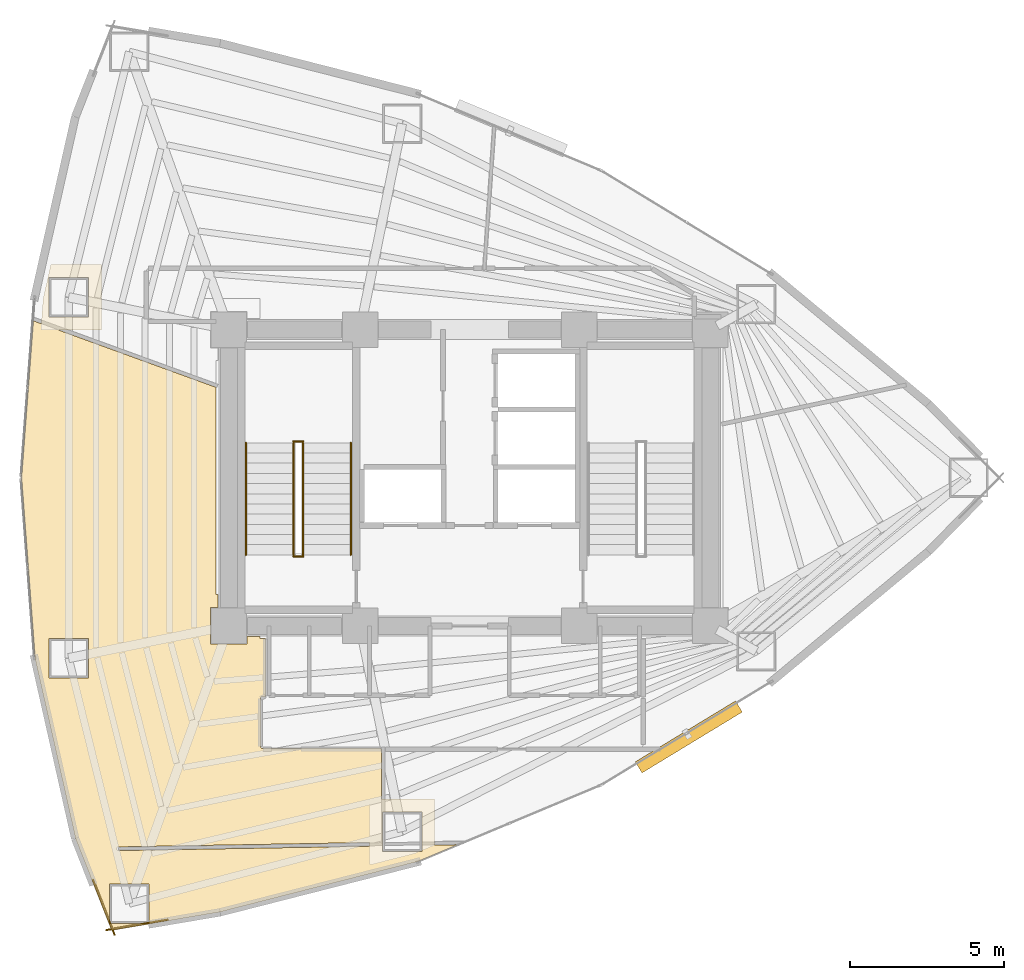
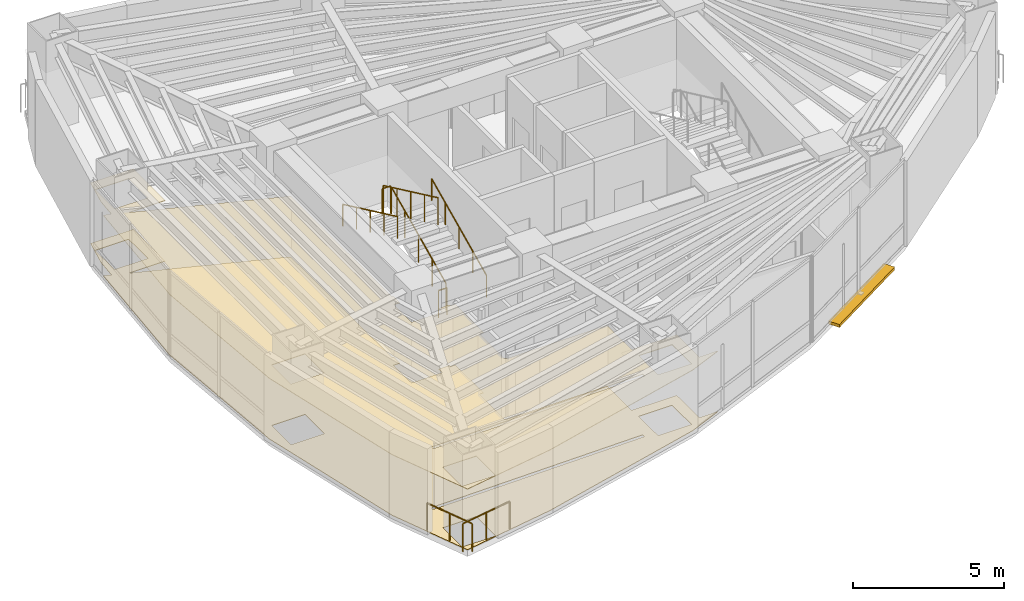
# One storey, part 17 of 19: 8 railings, 2 coverings, 1 shading device.
"""IFC4 building model written with IfcOpenShell, lengths in metres."""

from ifc_helpers import new_model, si_unit, direction, frame, origin, origin_2d, place, context, subcontext, project, spatial, polyline, rectangle, circle, outline, extrude, material, layer, layer_set, type_object, element, save


model = new_model("IFC4")

# Units and contexts
model_context = context("Model", 3, precision=1e-05, world=origin(), true_north=direction((0.0, 1.0)))
body_context = subcontext(model_context, "Body", "Model", "MODEL_VIEW")
ifc_project = project(units=[si_unit("LENGTHUNIT", "METRE"), si_unit("AREAUNIT", "SQUARE_METRE"), si_unit("VOLUMEUNIT", "CUBIC_METRE"), si_unit("PLANEANGLEUNIT", "RADIAN"), si_unit("MASSUNIT", "GRAM", prefix="KILO")], contexts=[model_context])

# Site, building, storey
site_placement = place(None, origin())
site = spatial("IfcSite", under=ifc_project, at=site_placement, CompositionType="ELEMENT")
building_placement = place(site_placement, origin())
building = spatial("IfcBuilding", under=site, at=building_placement, Name="Menara Vayukalpa", CompositionType="ELEMENT")
storey_placement = place(building_placement, frame((0.0, 0.0, 122.580078125)))
storey = spatial("IfcBuildingStorey", under=building, at=storey_placement, Name="L30", CompositionType="ELEMENT", Elevation=122.580078125)

# Coverings
ifc_material_1 = material(Name="Mineral Fibre Acoustic Ceiling Tile", Category="masonry")
ifc_layer_1 = layer(ifc_material_1, 0.02490234375)
ifc_layer_set_1 = layer_set([ifc_layer_1], Name="Mineral Fibre Acoustic Ceiling Tile")
covering_type_1 = type_object("IfcCoveringType", Name="COV-CLG1", PredefinedType="CEILING", material=ifc_layer_set_1)
covering_1_placement = place(storey_placement, frame((0.0, 0.0, 2.449951171875)))
element("IfcCovering", 1, at=covering_1_placement, inside=storey, type_object=covering_type_1, Name="L30 Executive Boardroom Acoustic Ceiling", PredefinedType="CEILING", context=body_context, shape_type="SweptSolid", body=[
    extrude(outline(polyline([(25.16650390625, 10.11083984375), (25.16748046875, 10.11083984375), (25.16845703125, 10.110595703125), (25.16943359375, 10.1103515625), (25.17041015625, 10.110107421875), (25.17138671875, 10.109619140625), (25.172119140625, 10.109130859375), (25.1728515625, 10.108642578125), (25.173583984375, 10.10791015625), (25.17431640625, 10.107177734375), (25.1748046875, 10.1064453125), (25.175537109375, 10.105712890625), (25.17578125, 10.104736328125), (25.17626953125, 10.103759765625), (25.176513671875, 10.102783203125), (25.176513671875, 10.101806640625), (25.1767578125, 10.100830078125), (25.1767578125, 10.099853515625), (25.176513671875, 10.098876953125), (25.17626953125, 10.097900390625), (25.176025390625, 10.096923828125), (25.175537109375, 10.09619140625), (25.175048828125, 10.09521484375), (25.174560546875, 10.094482421875), (25.173828125, 10.09375), (25.173095703125, 10.093017578125), (25.17236328125, 10.092529296875), (25.17138671875, 10.092041015625), (25.170654296875, 10.091552734375), (23.90478515625, 9.562255859375), (23.903564453125, 9.561767578125), (17.5087890625, 7.930908203125), (17.5078125, 7.9306640625), (14.00830078125, 7.33642578125), (14.00732421875, 7.33642578125), (14.00634765625, 7.33642578125), (14.005615234375, 7.33642578125), (14.00439453125, 7.336669921875), (14.003662109375, 7.3369140625), (14.002685546875, 7.33740234375), (14.001708984375, 7.337646484375), (14.0009765625, 7.338134765625), (14.000244140625, 7.3388671875), (13.99951171875, 7.339599609375), (13.998779296875, 7.340087890625), (13.998291015625, 7.341064453125), (13.997802734375, 7.341796875), (13.997314453125, 7.3427734375), (12.831787109375, 10.310791015625), (12.83154296875, 10.3115234375), (12.831298828125, 10.312255859375), (11.5166015625, 16.155029296875), (11.516357421875, 16.156494140625), (11.078369140625, 21.999267578125), (11.078369140625, 22.0), (11.078369140625, 22.000732421875), (11.45849609375, 27.069580078125), (11.45849609375, 27.07080078125), (11.458740234375, 27.07177734375), (11.458984375, 27.072509765625), (11.45947265625, 27.073486328125), (11.4599609375, 27.07421875), (11.46044921875, 27.0751953125), (11.461181640625, 27.07568359375), (11.4619140625, 27.076416015625), (11.462646484375, 27.0771484375), (11.46337890625, 27.07763671875), (11.46435546875, 27.078125), (11.465087890625, 27.07861328125), (11.466064453125, 27.07861328125), (11.467041015625, 27.078857421875), (11.468017578125, 27.0791015625), (11.468994140625, 27.0791015625), (11.469970703125, 27.078857421875), (11.470947265625, 27.07861328125), (11.4716796875, 27.078369140625), (11.722900390625, 26.987060546875), (11.7841796875, 27.80419921875), (12.031982421875, 28.90576171875), (13.66650390625, 28.90576171875), (13.66650390625, 26.78564453125), (12.27587890625, 26.78564453125), (17.38330078125, 24.9267578125), (17.384521484375, 24.92626953125), (17.38525390625, 24.92578125), (17.385986328125, 24.92529296875), (17.386962890625, 24.924560546875), (17.3876953125, 24.923828125), (17.38818359375, 24.923095703125), (17.388671875, 24.922119140625), (17.38916015625, 24.92138671875), (17.389404296875, 24.92041015625), (17.389892578125, 24.919189453125), (17.389892578125, 24.918212890625), (17.389892578125, 24.917236328125), (17.389892578125, 18.2099609375), (17.449951171875, 18.2099609375), (17.449951171875, 17.7900390625), (17.2099609375, 17.7900390625), (17.2099609375, 16.610107421875), (18.389892578125, 16.610107421875), (18.389892578125, 16.85009765625), (18.81005859375, 16.85009765625), (18.81005859375, 16.7900390625), (18.97998046875, 16.7900390625), (18.98095703125, 16.7900390625), (18.98193359375, 16.789794921875), (18.98291015625, 16.78955078125), (18.98388671875, 16.789306640625), (18.984619140625, 16.788818359375), (18.985595703125, 16.788330078125), (18.986328125, 16.78759765625), (18.987060546875, 16.787109375), (18.98779296875, 16.786376953125), (18.98828125, 16.78564453125), (18.98876953125, 16.78466796875), (18.9892578125, 16.78369140625), (18.989501953125, 16.782958984375), (18.98974609375, 16.781982421875), (18.989990234375, 16.781005859375), (18.989990234375, 16.780029296875), (18.989990234375, 14.929931640625), (18.989990234375, 14.928955078125), (18.98974609375, 14.927978515625), (18.989501953125, 14.927001953125), (18.9892578125, 14.92626953125), (18.98876953125, 14.92529296875), (18.98828125, 14.92431640625), (18.98779296875, 14.923583984375), (18.987060546875, 14.9228515625), (18.986328125, 14.92236328125), (18.985595703125, 14.921630859375), (18.984619140625, 14.921142578125), (18.98388671875, 14.9208984375), (18.98291015625, 14.92041015625), (18.98193359375, 14.920166015625), (18.98095703125, 14.919921875), (18.97998046875, 14.919921875), (18.900390625, 14.919921875), (18.893310546875, 14.919677734375), (18.88623046875, 14.918701171875), (18.879638671875, 14.9169921875), (18.873291015625, 14.914794921875), (18.866943359375, 14.911865234375), (18.861083984375, 14.908203125), (18.85546875, 14.904052734375), (18.8505859375, 14.8994140625), (18.845947265625, 14.89453125), (18.841796875, 14.888916015625), (18.838134765625, 14.883056640625), (18.835205078125, 14.876708984375), (18.8330078125, 14.870361328125), (18.831298828125, 14.86376953125), (18.830322265625, 14.856689453125), (18.830078125, 14.849609375), (18.830078125, 13.290283203125), (18.830322265625, 13.283203125), (18.831298828125, 13.2763671875), (18.8330078125, 13.269775390625), (18.835205078125, 13.26318359375), (18.838134765625, 13.257080078125), (18.841796875, 13.251220703125), (18.845947265625, 13.24560546875), (18.8505859375, 13.240478515625), (18.85546875, 13.236083984375), (18.861083984375, 13.231689453125), (18.866943359375, 13.228271484375), (18.873291015625, 13.225341796875), (18.879638671875, 13.222900390625), (18.88623046875, 13.22119140625), (18.893310546875, 13.220458984375), (18.900390625, 13.219970703125), (22.72998046875, 13.219970703125), (22.73095703125, 13.219970703125), (22.73193359375, 13.2197265625), (22.73291015625, 13.219482421875), (22.73388671875, 13.21923828125), (22.734619140625, 13.21875), (22.735595703125, 13.21826171875), (22.736328125, 13.2177734375), (22.737060546875, 13.217041015625), (22.73779296875, 13.21630859375), (22.73828125, 13.215576171875), (22.73876953125, 13.214599609375), (22.7392578125, 13.2138671875), (22.739501953125, 13.212890625), (22.73974609375, 13.2119140625), (22.739990234375, 13.2109375), (22.739990234375, 13.2099609375), (22.739990234375, 11.592529296875), (24.46826171875, 11.592529296875), (24.46826171875, 10.0986328125), (25.16650390625, 10.11083984375)]), holes=[polyline([(14.228515625, 10.039794921875), (14.222412109375, 10.03955078125), (14.21630859375, 10.03857421875), (14.210693359375, 10.037109375), (14.205078125, 10.034912109375), (14.199951171875, 10.032470703125), (14.19482421875, 10.029296875), (14.190185546875, 10.025634765625), (14.185791015625, 10.021484375), (14.181884765625, 10.01708984375), (14.1787109375, 10.012451171875), (14.17578125, 10.007080078125), (14.17333984375, 10.001953125), (14.17138671875, 9.996337890625), (14.170166015625, 9.990478515625), (14.16943359375, 9.98486328125), (14.169189453125, 9.978759765625), (14.16943359375, 9.972900390625), (14.17041015625, 9.96728515625), (14.172119140625, 9.96142578125), (14.174072265625, 9.9560546875), (14.1767578125, 9.95068359375), (14.1796875, 9.94580078125), (14.183349609375, 9.941162109375), (14.1875, 9.936767578125), (14.19189453125, 9.932861328125), (14.19677734375, 9.929443359375), (14.20166015625, 9.926513671875), (14.20703125, 9.924072265625), (14.212890625, 9.922119140625), (14.218505859375, 9.9208984375), (14.224365234375, 9.920166015625), (14.23046875, 9.919921875), (22.34814453125, 10.0615234375), (22.34814453125, 10.181640625), (14.228515625, 10.039794921875)]), polyline([(15.208984375, 8.842529296875), (13.92919921875, 8.842529296875), (13.92919921875, 7.5625), (15.208984375, 7.5625), (15.208984375, 8.842529296875)]), polyline([(24.048095703125, 11.172607421875), (22.768310546875, 11.172607421875), (22.768310546875, 9.892578125), (24.048095703125, 9.892578125), (24.048095703125, 11.172607421875)]), polyline([(13.24658203125, 16.794189453125), (11.966552734375, 16.794189453125), (11.966552734375, 15.514404296875), (13.24658203125, 15.514404296875), (13.24658203125, 16.794189453125)]), polyline([(13.24658203125, 28.485595703125), (11.966552734375, 28.485595703125), (11.966552734375, 27.205810546875), (13.24658203125, 27.205810546875), (13.24658203125, 28.485595703125)])]), origin(), (0.0, 0.0, 1.0), 0.02490234375),
])
ifc_material_2 = material(Name="Porcelain Stoneware Floor Tile", Category="masonry")
ifc_layer_2 = layer(ifc_material_2, 0.02001953125)
ifc_layer_set_2 = layer_set([ifc_layer_2], Name="Porcelain Stoneware Floor Tile")
covering_type_2 = type_object("IfcCoveringType", Name="COV-FLR1", PredefinedType="FLOORING", material=ifc_layer_set_2)
covering_2_placement = place(storey_placement, origin())
element("IfcCovering", 2, at=covering_2_placement, inside=storey, type_object=covering_type_2, Name="L30 Executive Boardroom Porcelain Flooring", PredefinedType="FLOORING", context=body_context, shape_type="SweptSolid", body=[
    extrude(outline(polyline([(25.16650390625, 10.11083984375), (25.16748046875, 10.11083984375), (25.16845703125, 10.110595703125), (25.16943359375, 10.1103515625), (25.17041015625, 10.110107421875), (25.17138671875, 10.109619140625), (25.172119140625, 10.109130859375), (25.1728515625, 10.108642578125), (25.173583984375, 10.10791015625), (25.17431640625, 10.107177734375), (25.1748046875, 10.1064453125), (25.175537109375, 10.105712890625), (25.17578125, 10.104736328125), (25.17626953125, 10.103759765625), (25.176513671875, 10.102783203125), (25.176513671875, 10.101806640625), (25.1767578125, 10.100830078125), (25.1767578125, 10.099853515625), (25.176513671875, 10.098876953125), (25.17626953125, 10.097900390625), (25.176025390625, 10.096923828125), (25.175537109375, 10.09619140625), (25.175048828125, 10.09521484375), (25.174560546875, 10.094482421875), (25.173828125, 10.09375), (25.173095703125, 10.093017578125), (25.17236328125, 10.092529296875), (25.17138671875, 10.092041015625), (25.170654296875, 10.091552734375), (23.90478515625, 9.562255859375), (23.903564453125, 9.561767578125), (17.5087890625, 7.930908203125), (17.5078125, 7.9306640625), (14.00830078125, 7.33642578125), (14.00732421875, 7.33642578125), (14.00634765625, 7.33642578125), (14.005615234375, 7.33642578125), (14.00439453125, 7.336669921875), (14.003662109375, 7.3369140625), (14.002685546875, 7.33740234375), (14.001708984375, 7.337646484375), (14.0009765625, 7.338134765625), (14.000244140625, 7.3388671875), (13.99951171875, 7.339599609375), (13.998779296875, 7.340087890625), (13.998291015625, 7.341064453125), (13.997802734375, 7.341796875), (13.997314453125, 7.3427734375), (12.831787109375, 10.310791015625), (12.83154296875, 10.3115234375), (12.831298828125, 10.312255859375), (11.5166015625, 16.155029296875), (11.516357421875, 16.156494140625), (11.078369140625, 21.999267578125), (11.078369140625, 22.0), (11.078369140625, 22.000732421875), (11.45849609375, 27.069580078125), (11.45849609375, 27.07080078125), (11.458740234375, 27.07177734375), (11.458984375, 27.072509765625), (11.45947265625, 27.073486328125), (11.4599609375, 27.07421875), (11.46044921875, 27.0751953125), (11.461181640625, 27.07568359375), (11.4619140625, 27.076416015625), (11.462646484375, 27.0771484375), (11.46337890625, 27.07763671875), (11.46435546875, 27.078125), (11.465087890625, 27.07861328125), (11.466064453125, 27.07861328125), (11.467041015625, 27.078857421875), (11.468017578125, 27.0791015625), (11.468994140625, 27.0791015625), (11.469970703125, 27.078857421875), (11.470947265625, 27.07861328125), (11.4716796875, 27.078369140625), (11.722900390625, 26.987060546875), (11.7841796875, 27.80419921875), (12.031982421875, 28.90576171875), (13.66650390625, 28.90576171875), (13.66650390625, 26.78564453125), (12.27587890625, 26.78564453125), (17.38330078125, 24.9267578125), (17.384521484375, 24.92626953125), (17.38525390625, 24.92578125), (17.385986328125, 24.92529296875), (17.386962890625, 24.924560546875), (17.3876953125, 24.923828125), (17.38818359375, 24.923095703125), (17.388671875, 24.922119140625), (17.38916015625, 24.92138671875), (17.389404296875, 24.92041015625), (17.389892578125, 24.919189453125), (17.389892578125, 24.918212890625), (17.389892578125, 24.917236328125), (17.389892578125, 18.2099609375), (17.449951171875, 18.2099609375), (17.449951171875, 17.7900390625), (17.2099609375, 17.7900390625), (17.2099609375, 16.610107421875), (18.389892578125, 16.610107421875), (18.389892578125, 16.85009765625), (18.81005859375, 16.85009765625), (18.81005859375, 16.7900390625), (18.97998046875, 16.7900390625), (18.98095703125, 16.7900390625), (18.98193359375, 16.789794921875), (18.98291015625, 16.78955078125), (18.98388671875, 16.789306640625), (18.984619140625, 16.788818359375), (18.985595703125, 16.788330078125), (18.986328125, 16.78759765625), (18.987060546875, 16.787109375), (18.98779296875, 16.786376953125), (18.98828125, 16.78564453125), (18.98876953125, 16.78466796875), (18.9892578125, 16.78369140625), (18.989501953125, 16.782958984375), (18.98974609375, 16.781982421875), (18.989990234375, 16.781005859375), (18.989990234375, 16.780029296875), (18.989990234375, 14.929931640625), (18.989990234375, 14.928955078125), (18.98974609375, 14.927978515625), (18.989501953125, 14.927001953125), (18.9892578125, 14.92626953125), (18.98876953125, 14.92529296875), (18.98828125, 14.92431640625), (18.98779296875, 14.923583984375), (18.987060546875, 14.9228515625), (18.986328125, 14.92236328125), (18.985595703125, 14.921630859375), (18.984619140625, 14.921142578125), (18.98388671875, 14.9208984375), (18.98291015625, 14.92041015625), (18.98193359375, 14.920166015625), (18.98095703125, 14.919921875), (18.97998046875, 14.919921875), (18.900390625, 14.919921875), (18.893310546875, 14.919677734375), (18.88623046875, 14.918701171875), (18.879638671875, 14.9169921875), (18.873291015625, 14.914794921875), (18.866943359375, 14.911865234375), (18.861083984375, 14.908203125), (18.85546875, 14.904052734375), (18.8505859375, 14.8994140625), (18.845947265625, 14.89453125), (18.841796875, 14.888916015625), (18.838134765625, 14.883056640625), (18.835205078125, 14.876708984375), (18.8330078125, 14.870361328125), (18.831298828125, 14.86376953125), (18.830322265625, 14.856689453125), (18.830078125, 14.849609375), (18.830078125, 13.290283203125), (18.830322265625, 13.283203125), (18.831298828125, 13.2763671875), (18.8330078125, 13.269775390625), (18.835205078125, 13.26318359375), (18.838134765625, 13.257080078125), (18.841796875, 13.251220703125), (18.845947265625, 13.24560546875), (18.8505859375, 13.240478515625), (18.85546875, 13.236083984375), (18.861083984375, 13.231689453125), (18.866943359375, 13.228271484375), (18.873291015625, 13.225341796875), (18.879638671875, 13.222900390625), (18.88623046875, 13.22119140625), (18.893310546875, 13.220458984375), (18.900390625, 13.219970703125), (22.72998046875, 13.219970703125), (22.73095703125, 13.219970703125), (22.73193359375, 13.2197265625), (22.73291015625, 13.219482421875), (22.73388671875, 13.21923828125), (22.734619140625, 13.21875), (22.735595703125, 13.21826171875), (22.736328125, 13.2177734375), (22.737060546875, 13.217041015625), (22.73779296875, 13.21630859375), (22.73828125, 13.215576171875), (22.73876953125, 13.214599609375), (22.7392578125, 13.2138671875), (22.739501953125, 13.212890625), (22.73974609375, 13.2119140625), (22.739990234375, 13.2109375), (22.739990234375, 13.2099609375), (22.739990234375, 11.592529296875), (24.46826171875, 11.592529296875), (24.46826171875, 10.0986328125), (25.16650390625, 10.11083984375)]), holes=[polyline([(14.228515625, 10.039794921875), (14.222412109375, 10.03955078125), (14.21630859375, 10.03857421875), (14.210693359375, 10.037109375), (14.205078125, 10.034912109375), (14.199951171875, 10.032470703125), (14.19482421875, 10.029296875), (14.190185546875, 10.025634765625), (14.185791015625, 10.021484375), (14.181884765625, 10.01708984375), (14.1787109375, 10.012451171875), (14.17578125, 10.007080078125), (14.17333984375, 10.001953125), (14.17138671875, 9.996337890625), (14.170166015625, 9.990478515625), (14.16943359375, 9.98486328125), (14.169189453125, 9.978759765625), (14.16943359375, 9.972900390625), (14.17041015625, 9.96728515625), (14.172119140625, 9.96142578125), (14.174072265625, 9.9560546875), (14.1767578125, 9.95068359375), (14.1796875, 9.94580078125), (14.183349609375, 9.941162109375), (14.1875, 9.936767578125), (14.19189453125, 9.932861328125), (14.19677734375, 9.929443359375), (14.20166015625, 9.926513671875), (14.20703125, 9.924072265625), (14.212890625, 9.922119140625), (14.218505859375, 9.9208984375), (14.224365234375, 9.920166015625), (14.23046875, 9.919921875), (22.34814453125, 10.0615234375), (22.34814453125, 10.181640625), (14.228515625, 10.039794921875)]), polyline([(15.208984375, 8.842529296875), (13.92919921875, 8.842529296875), (13.92919921875, 7.5625), (15.208984375, 7.5625), (15.208984375, 8.842529296875)]), polyline([(24.048095703125, 11.172607421875), (22.768310546875, 11.172607421875), (22.768310546875, 9.892578125), (24.048095703125, 9.892578125), (24.048095703125, 11.172607421875)]), polyline([(13.24658203125, 16.794189453125), (11.966552734375, 16.794189453125), (11.966552734375, 15.514404296875), (13.24658203125, 15.514404296875), (13.24658203125, 16.794189453125)]), polyline([(13.24658203125, 28.485595703125), (11.966552734375, 28.485595703125), (11.966552734375, 27.205810546875), (13.24658203125, 27.205810546875), (13.24658203125, 28.485595703125)])]), origin(), (0.0, 0.0, 1.0), 0.02001953125),
])

# Railings
ifc_material_3 = material(Name="Laminated Glass and Stainless Steel 316 Guardrail", Category="steel")
railing_type_1 = type_object("IfcRailingType", Name="RLG-EXT115", PredefinedType="GUARDRAIL", material=ifc_material_3)
railing_1_placement = place(storey_placement, frame((13.39990234375, 8.9736328125, 0.0)))
element("IfcRailing", 3, at=railing_1_placement, inside=storey, type_object=railing_type_1, Name="L30 Column Corner Spandrel Guardrail 13-1", PredefinedType="GUARDRAIL", context=body_context, shape_type="SweptSolid", body=[
    extrude(circle(Radius=0.02392578125, at=origin_2d()), frame((0.0, 0.0, 1.1259765625), z_axis=(0.365573386764, -0.930782519652, 0.0), x_axis=(0.930782519652, 0.365573386764, 0.0)), (0.0, 0.0, 1.0), 1.91259765625),
    extrude(circle(Radius=0.02099609375, at=origin_2d()), origin(), (0.0, 0.0, 1.0), 1.101806640625),
    extrude(circle(Radius=0.02099609375, at=origin_2d()), frame((0.349609375, -0.89013671875, 0.0)), (0.0, 0.0, 1.0), 1.101806640625),
    extrude(circle(Radius=0.02099609375, at=origin_2d()), frame((0.69921875, -1.7802734375, 0.0)), (0.0, 0.0, 1.0), 1.101806640625),
])
railing_2_placement = place(storey_placement, frame((13.827880859375, 7.346435546875, 0.0)))
element("IfcRailing", 4, at=railing_2_placement, inside=storey, type_object=railing_type_1, Name="L30 Column Corner Spandrel Guardrail 14-1", PredefinedType="GUARDRAIL", context=body_context, shape_type="SweptSolid", body=[
    extrude(circle(Radius=0.02392578125, at=origin_2d()), frame((0.0, 0.0, 1.1259765625), z_axis=(0.985895977605, 0.16735925831, 0.0), x_axis=(-0.16735925831, 0.985895977605, 0.0)), (0.0, 0.0, 1.0), 2.01904296875),
    extrude(circle(Radius=0.02099609375, at=origin_2d()), origin(), (0.0, 0.0, 1.0), 1.101806640625),
    extrude(circle(Radius=0.02099609375, at=origin_2d()), frame((0.9951171875, 0.1689453125, 0.0)), (0.0, 0.0, 1.0), 1.101806640625),
    extrude(circle(Radius=0.02099609375, at=origin_2d()), frame((1.990478515625, 0.337890625, 0.0)), (0.0, 0.0, 1.0), 1.101806640625),
])
ifc_material_4 = material(Name="Powder-Coated Galvanised Steel Guardrail", Category="steel")
railing_type_2 = type_object("IfcRailingType", Name="RLG-STG110", PredefinedType="GUARDRAIL", material=ifc_material_4)
railing_3_placement = place(storey_placement, frame((20.199951171875, 19.5, 0.155029296875)))
element("IfcRailing", 5, at=railing_3_placement, inside=storey, type_object=railing_type_2, Name="L30 ST-1 stair guard 1", PredefinedType="GUARDRAIL", context=body_context, shape_type="SweptSolid", body=[
    extrude(circle(Radius=0.02392578125, at=origin_2d()), frame((0.0, 0.0, 1.09619140625), z_axis=(0.0, 0.90513990983, 0.425113800803), x_axis=(-1.0, 0.0, 0.0)), (0.0, 0.0, 1.0), 4.01025390625),
    extrude(circle(Radius=0.02099609375, at=origin_2d()), origin(), (0.0, 0.0, 1.0), 1.072021484375),
    extrude(circle(Radius=0.02099609375, at=origin_2d()), frame((0.0, 0.907470703125, 0.42626953125)), (0.0, 0.0, 1.0), 1.072021484375),
    extrude(circle(Radius=0.02099609375, at=origin_2d()), frame((0.0, 1.81494140625, 0.8525390625)), (0.0, 0.0, 1.0), 1.072021484375),
    extrude(circle(Radius=0.02099609375, at=origin_2d()), frame((0.0, 2.722412109375, 1.278564453125)), (0.0, 0.0, 1.0), 1.072021484375),
    extrude(circle(Radius=0.02099609375, at=origin_2d()), frame((0.0, 3.6298828125, 1.704833984375)), (0.0, 0.0, 1.0), 1.072021484375),
])
railing_4_placement = place(storey_placement, frame((20.2099609375, 23.179931640625, 1.85986328125)))
element("IfcRailing", 6, at=railing_4_placement, inside=storey, type_object=railing_type_2, Name="L30 ST-1 stair guard 2", PredefinedType="GUARDRAIL", context=body_context, shape_type="SweptSolid", body=[
    extrude(circle(Radius=0.02392578125, at=origin_2d()), frame((0.0, 0.0, 1.09619140625), z_axis=(-1.0, 0.0, 0.0), x_axis=(0.0, -1.0, 0.0)), (0.0, 0.0, 1.0), 0.320068359375),
    extrude(circle(Radius=0.02099609375, at=origin_2d()), origin(), (0.0, 0.0, 1.0), 1.072021484375),
    extrude(circle(Radius=0.02099609375, at=origin_2d()), frame((-0.320068359375, 0.0, 0.0)), (0.0, 0.0, 1.0), 1.072021484375),
])
railing_5_placement = place(storey_placement, frame((19.89990234375, 23.1298828125, 2.014892578125)))
element("IfcRailing", 7, at=railing_5_placement, inside=storey, type_object=railing_type_2, Name="L30 ST-1 stair guard 3", PredefinedType="GUARDRAIL", context=body_context, shape_type="SweptSolid", body=[
    extrude(circle(Radius=0.02392578125, at=origin_2d()), frame((0.0, 0.0, 1.09619140625), z_axis=(0.0, -0.90511648382, 0.425163675209), x_axis=(1.0, 0.0, 0.0)), (0.0, 0.0, 1.0), 4.010498046875),
    extrude(circle(Radius=0.02099609375, at=origin_2d()), origin(), (0.0, 0.0, 1.0), 1.072021484375),
    extrude(circle(Radius=0.02099609375, at=origin_2d()), frame((0.0, -0.907470703125, 0.42626953125)), (0.0, 0.0, 1.0), 1.072021484375),
    extrude(circle(Radius=0.02099609375, at=origin_2d()), frame((0.0, -1.81494140625, 0.8525390625)), (0.0, 0.0, 1.0), 1.072021484375),
    extrude(circle(Radius=0.02099609375, at=origin_2d()), frame((0.0, -2.722412109375, 1.27880859375)), (0.0, 0.0, 1.0), 1.072021484375),
    extrude(circle(Radius=0.02099609375, at=origin_2d()), frame((0.0, -3.6298828125, 1.705078125)), (0.0, 0.0, 1.0), 1.072021484375),
])
railing_6_placement = place(storey_placement, frame((20.2099609375, 19.449951171875, 0.0)))
element("IfcRailing", 8, at=railing_6_placement, inside=storey, type_object=railing_type_2, Name="L30 ST-1 stair guard 4", PredefinedType="GUARDRAIL", context=body_context, shape_type="SweptSolid", body=[
    extrude(circle(Radius=0.02392578125, at=origin_2d()), frame((0.0, 0.0, 1.09619140625), z_axis=(-1.0, 0.0, 0.0), x_axis=(0.0, -1.0, 0.0)), (0.0, 0.0, 1.0), 0.320068359375),
    extrude(circle(Radius=0.02099609375, at=origin_2d()), origin(), (0.0, 0.0, 1.0), 1.072021484375),
    extrude(circle(Radius=0.02099609375, at=origin_2d()), frame((-0.320068359375, 0.0, 0.0)), (0.0, 0.0, 1.0), 1.072021484375),
])
ifc_material_5 = material(Name="Stainless Steel 316 Tubular Handrail", Category="steel")
railing_type_3 = type_object("IfcRailingType", Name="RLG-STH090", PredefinedType="HANDRAIL", material=ifc_material_5)
railing_7_placement = place(storey_placement, frame((21.75, 19.5, 0.155029296875)))
element("IfcRailing", 9, at=railing_7_placement, inside=storey, type_object=railing_type_3, Name="L30 ST-1 stair handrail 1", PredefinedType="HANDRAIL", context=body_context, shape_type="SweptSolid", body=[
    extrude(circle(Radius=0.02392578125, at=origin_2d()), frame((0.0, 0.0, 0.8759765625), z_axis=(0.0, 0.90513990983, 0.425113800803), x_axis=(-1.0, 0.0, 0.0)), (0.0, 0.0, 1.0), 4.01025390625),
    extrude(circle(Radius=0.02099609375, at=origin_2d()), origin(), (0.0, 0.0, 1.0), 0.851806640625),
    extrude(circle(Radius=0.02099609375, at=origin_2d()), frame((0.0, 0.907470703125, 0.42626953125)), (0.0, 0.0, 1.0), 0.851806640625),
    extrude(circle(Radius=0.02099609375, at=origin_2d()), frame((0.0, 1.81494140625, 0.8525390625)), (0.0, 0.0, 1.0), 0.851806640625),
    extrude(circle(Radius=0.02099609375, at=origin_2d()), frame((0.0, 2.722412109375, 1.278564453125)), (0.0, 0.0, 1.0), 0.851806640625),
    extrude(circle(Radius=0.02099609375, at=origin_2d()), frame((0.0, 3.6298828125, 1.704833984375)), (0.0, 0.0, 1.0), 0.851806640625),
])
railing_8_placement = place(storey_placement, frame((18.35009765625, 23.1298828125, 2.014892578125)))
element("IfcRailing", 10, at=railing_8_placement, inside=storey, type_object=railing_type_3, Name="L30 ST-1 stair handrail 2", PredefinedType="HANDRAIL", context=body_context, shape_type="SweptSolid", body=[
    extrude(circle(Radius=0.02392578125, at=origin_2d()), frame((0.0, 0.0, 0.8759765625), z_axis=(0.0, -0.90511648382, 0.425163675209), x_axis=(1.0, 0.0, 0.0)), (0.0, 0.0, 1.0), 4.010498046875),
    extrude(circle(Radius=0.02099609375, at=origin_2d()), origin(), (0.0, 0.0, 1.0), 0.851806640625),
    extrude(circle(Radius=0.02099609375, at=origin_2d()), frame((0.0, -0.907470703125, 0.42626953125)), (0.0, 0.0, 1.0), 0.851806640625),
    extrude(circle(Radius=0.02099609375, at=origin_2d()), frame((0.0, -1.81494140625, 0.8525390625)), (0.0, 0.0, 1.0), 0.851806640625),
    extrude(circle(Radius=0.02099609375, at=origin_2d()), frame((0.0, -2.722412109375, 1.27880859375)), (0.0, 0.0, 1.0), 0.851806640625),
    extrude(circle(Radius=0.02099609375, at=origin_2d()), frame((0.0, -3.6298828125, 1.705078125)), (0.0, 0.0, 1.0), 0.851806640625),
])

# Shading device
ifc_material_6 = material(Name="Glazed Terracotta Ceramic Baguette Extrusion", Category="masonry")
ifc_layer_3 = layer(ifc_material_6, 0.1201171875)
ifc_layer_set_3 = layer_set([ifc_layer_3], Name="Glazed Terracotta Ceramic Baguette Extrusion")
shading_device_type = type_object("IfcShadingDeviceType", Name="SHD-SS1", PredefinedType="USERDEFINED", material=ifc_layer_set_3)
shading_device_placement = place(storey_placement, frame((32.698486328125, 13.601806640625, -0.10009765625), z_axis=(0.0, 0.0, 1.0), x_axis=(0.85466730962, 0.519176068272, 0.0)))
element("IfcShadingDevice", 11, at=shading_device_placement, inside=storey, type_object=shading_device_type, Name="L30 Horizontal Terracotta Sunshade Band 17", ObjectType="SUNSHADE", PredefinedType="USERDEFINED", context=body_context, shape_type="SweptSolid", body=[
    extrude(rectangle(XDim=3.800048828125, YDim=0.419921875, at=origin_2d()), origin(), (0.0, 0.0, 1.0), 0.1201171875),
])

save(model, "model.ifc")
